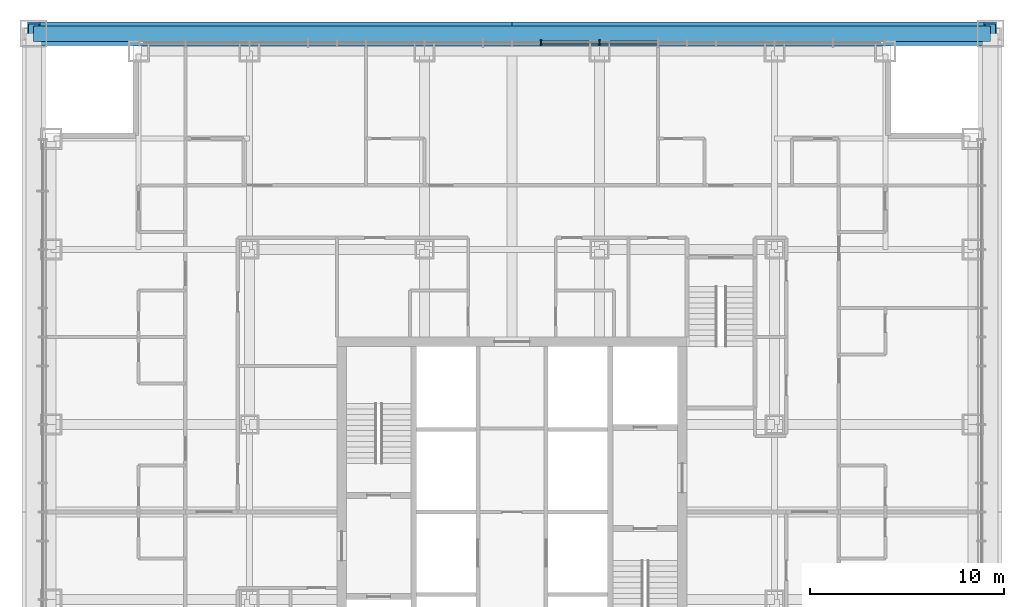
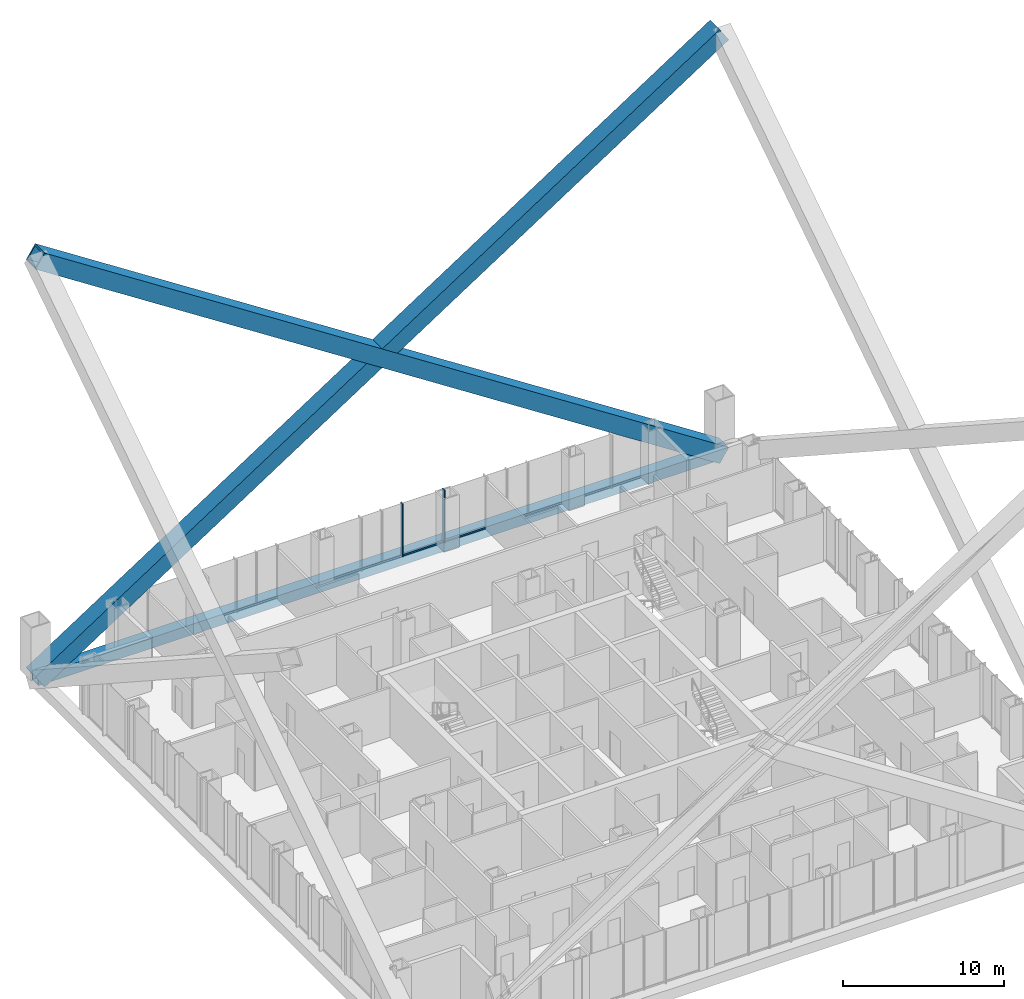
# One storey, part 8 of 21: 7 members, 1 element without a shape of its own.
"""IFC4 building model written with IfcOpenShell, lengths in metres."""

from ifc_helpers import new_model, si_unit, direction, frame, origin, origin_2d, place, context, subcontext, project, spatial, rectangle, hollow_rectangle, extrude, material, layer, layer_set, material_profile, profile_set, type_object, element, aggregate, save


model = new_model("IFC4")

# Units and contexts
model_context = context("Model", 3, precision=1e-05, world=origin(), true_north=direction((0.0, 1.0)))
body_context = subcontext(model_context, "Body", "Model", "MODEL_VIEW")
ifc_project = project(units=[si_unit("LENGTHUNIT", "METRE"), si_unit("AREAUNIT", "SQUARE_METRE"), si_unit("VOLUMEUNIT", "CUBIC_METRE"), si_unit("PLANEANGLEUNIT", "RADIAN"), si_unit("MASSUNIT", "GRAM", prefix="KILO")], contexts=[model_context])

# Site, building, storey
site_placement = place(None, origin())
site = spatial("IfcSite", under=ifc_project, at=site_placement, CompositionType="ELEMENT")
building_placement = place(site_placement, origin())
building = spatial("IfcBuilding", under=site, at=building_placement, Name="Malebo Sky Hospital", CompositionType="ELEMENT")
storey_placement = place(building_placement, frame((0.0, 0.0, 140.0)))
storey = spatial("IfcBuildingStorey", under=building, at=storey_placement, Name="L33", CompositionType="ELEMENT", Elevation=140.0)

# Curtain wall, members
ifc_material_1 = material(Name="Anodised aluminium, natural silver", Category="aluminium")
ifc_layer = layer(ifc_material_1, 0.25)
ifc_layer_set = layer_set([ifc_layer], Name="WARD CURTAIN WALL NORTH AND SOUTH")
curtain_wall_type = type_object("IfcCurtainWallType", Name="WARD CURTAIN WALL NORTH AND SOUTH", PredefinedType="NOTDEFINED", material=ifc_layer_set)
curtain_wall_placement = place(storey_placement, origin())
curtain_wall = element("IfcCurtainWall", 1, at=curtain_wall_placement, inside=storey, type_object=curtain_wall_type, Name="NS curtain wall N", PredefinedType="NOTDEFINED")
ifc_material_profile_1 = material_profile(ifc_material_1, rectangle(XDim=0.14990234375, YDim=0.10009765625, at=origin_2d()), Name="ALUMINIUM TRANSOM 150x100")
ifc_profile_set_1 = profile_set([ifc_material_profile_1], Name="Anodised aluminium, natural silver")
member_type_1 = type_object("IfcMemberType", Name="ALUMINIUM TRANSOM 150x100", PredefinedType="USERDEFINED", material=ifc_profile_set_1)
member_1_placement = place(storey_placement, frame((61.53759765625, 86.135009765625, 0.050048828125), z_axis=(1.0, 0.0, 0.0), x_axis=(0.0, 1.0, 0.0)))
member_1 = element("IfcMember", 2, at=member_1_placement, type_object=member_type_1, Name="Transom 10", ObjectType="TRANSOM", PredefinedType="USERDEFINED", context=body_context, shape_type="SweptSolid", body=[
    extrude(rectangle(XDim=0.14990234375, YDim=0.10009765625, at=origin_2d()), origin(), (0.0, 0.0, 1.0), 2.9248046875),
])
member_2_placement = place(storey_placement, frame((64.53759765625, 86.135009765625, 0.050048828125), z_axis=(1.0, 0.0, 0.0), x_axis=(0.0, 1.0, 0.0)))
member_2 = element("IfcMember", 3, at=member_2_placement, type_object=member_type_1, Name="Transom 11", ObjectType="TRANSOM", PredefinedType="USERDEFINED", context=body_context, shape_type="SweptSolid", body=[
    extrude(rectangle(XDim=0.14990234375, YDim=0.10009765625, at=origin_2d()), origin(), (0.0, 0.0, 1.0), 2.9248046875),
])
ifc_material_profile_2 = material_profile(ifc_material_1, rectangle(XDim=0.074951171875, YDim=0.300048828125, at=origin_2d()), Name="CW1 ALUMINIUM FIN MULLION 75x300")
ifc_profile_set_2 = profile_set([ifc_material_profile_2], Name="Anodised aluminium, natural silver")
member_type_2 = type_object("IfcMemberType", Name="CW1 ALUMINIUM FIN MULLION 75x300", PredefinedType="MULLION", material=ifc_profile_set_2)
member_3_placement = place(storey_placement, frame((61.5, 86.135009765625, 0.0), z_axis=(0.0, 0.0, 1.0), x_axis=(1.0, 0.0, 0.0)))
member_3 = element("IfcMember", 4, at=member_3_placement, type_object=member_type_2, Name="Fin mullion 10", PredefinedType="MULLION", context=body_context, shape_type="SweptSolid", body=[
    extrude(rectangle(XDim=0.074951171875, YDim=0.300048828125, at=origin_2d()), origin(), (0.0, 0.0, 1.0), 4.0),
])
member_4_placement = place(storey_placement, frame((64.5, 86.135009765625, 0.0), z_axis=(0.0, 0.0, 1.0), x_axis=(1.0, 0.0, 0.0)))
member_4 = element("IfcMember", 5, at=member_4_placement, type_object=member_type_2, Name="Fin mullion 11", PredefinedType="MULLION", context=body_context, shape_type="SweptSolid", body=[
    extrude(rectangle(XDim=0.074951171875, YDim=0.300048828125, at=origin_2d()), origin(), (0.0, 0.0, 1.0), 4.0),
])
aggregate(curtain_wall, [member_3, member_4, member_1, member_2])

# Members
ifc_material_2 = material(Name="Steel S460", Category="steel")
ifc_material_profile_3 = material_profile(ifc_material_2, hollow_rectangle(XDim=1.199951171875, YDim=1.199951171875, WallThickness=0.10009765625, at=origin_2d()), Name="BOX 1200x1200x100")
ifc_profile_set_3 = profile_set([ifc_material_profile_3], Name="Steel S460")
member_type_3 = type_object("IfcMemberType", Name="MEGA BRACE BOX 1200x1200x100", PredefinedType="BRACE", material=ifc_profile_set_3)
for number, where, z_axis, x_axis, name in (
    (6, (84.60009765625, 86.60009765625, -0.39990234375), (-0.838288860392, 0.0, 0.545226362663), (0.0, -1.0, 0.0), "Mega brace B2N1 L33-L41"),
    (7, (35.39990234375, 86.60009765625, -0.39990234375), (0.838288860392, 0.0, 0.545226362663), (0.0, 1.0, 0.0), "Mega brace B2N2 L33-L41"),
):
    element("IfcMember", number, at=place(storey_placement, frame(where, z_axis=z_axis, x_axis=x_axis)), inside=storey, type_object=member_type_3, Name=name, PredefinedType="BRACE", context=body_context, shape_type="SweptSolid", body=[
        extrude(hollow_rectangle(XDim=1.199951171875, YDim=1.199951171875, WallThickness=0.10009765625, at=origin_2d()), origin(), (0.0, 0.0, 1.0), 58.691162109375),
    ])
ifc_material_profile_4 = material_profile(ifc_material_2, hollow_rectangle(XDim=0.800048828125, YDim=0.800048828125, WallThickness=0.0400390625, at=origin_2d()), Name="BOX 800x800x40")
ifc_profile_set_4 = profile_set([ifc_material_profile_4], Name="Steel S460")
member_type_4 = type_object("IfcMemberType", Name="MEGA TIE BOX 800x800x40", PredefinedType="CHORD", material=ifc_profile_set_4)
member_5_placement = place(storey_placement, frame((84.60009765625, 86.60009765625, -0.39990234375), z_axis=(-1.0, 0.0, 0.0), x_axis=(0.0, -1.0, 0.0)))
element("IfcMember", 8, at=member_5_placement, inside=storey, type_object=member_type_4, Name="Mega tie BN L33", PredefinedType="CHORD", context=body_context, shape_type="SweptSolid", body=[
    extrude(hollow_rectangle(XDim=0.800048828125, YDim=0.800048828125, WallThickness=0.0400390625, at=origin_2d()), origin(), (0.0, 0.0, 1.0), 49.2001953125),
])

save(model, "model.ifc")
